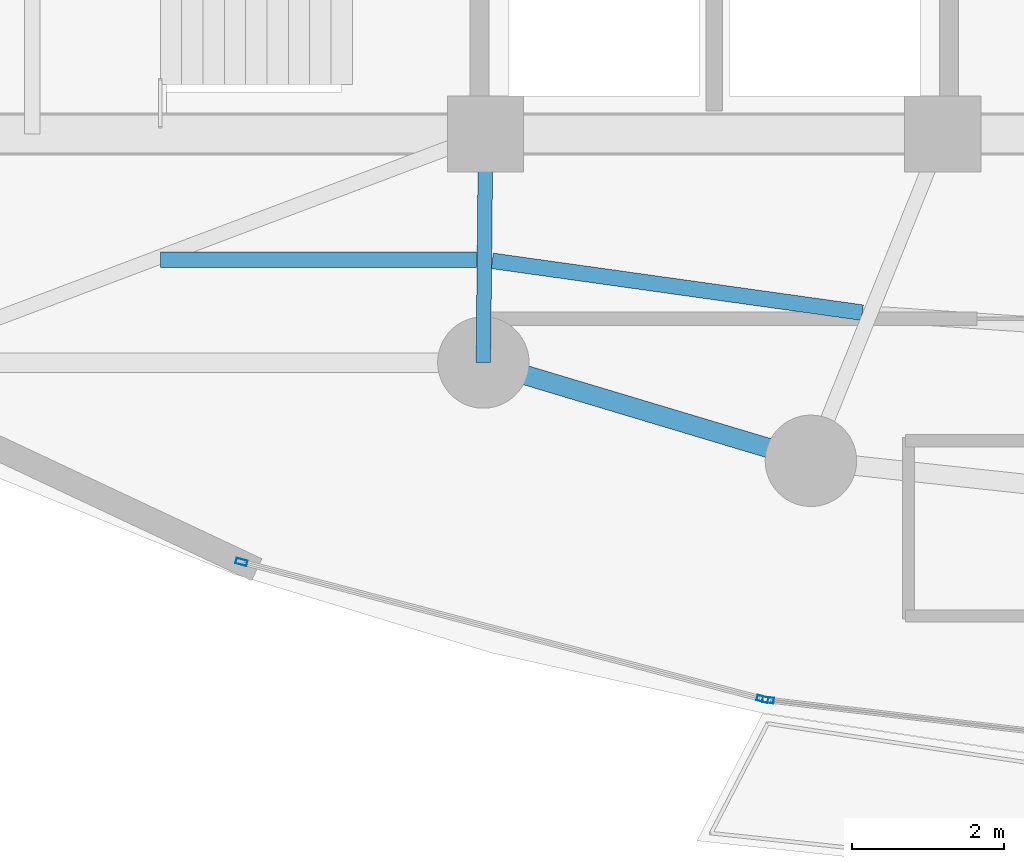
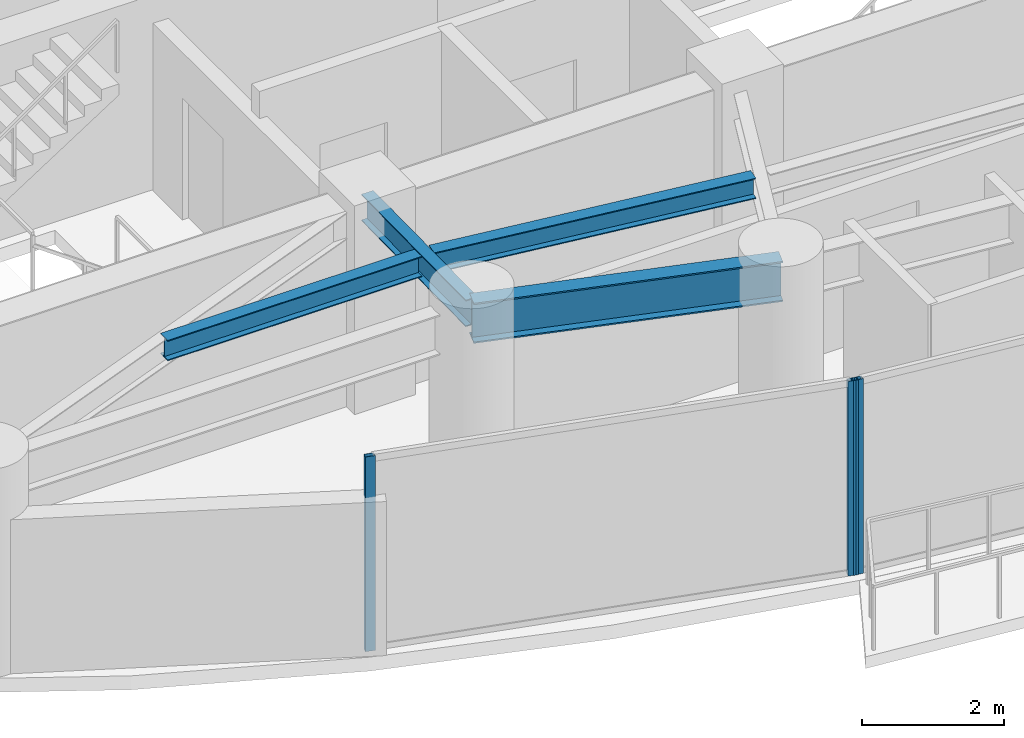
# One storey, part 5 of 34: 4 beams, 3 members, 2 elements without a shape of their own.
"""IFC4 building model written with IfcOpenShell, lengths in metres."""

import ifcopenshell
import ifcopenshell.guid

model = None  # the IFC model being written
_history = None  # IfcOwnerHistory: only IFC2X3 demands one
_inside = {}  # id of a spatial element -> (the spatial element, [elements in it])
_under = {}  # id of a project, library or spatial element -> (it, [spatial elements below it])
_declared = {}  # id of a project -> (the project, [libraries it declares])
_typed = {}  # id of a type object -> (the type object, [elements of that type])
_made_of = {}  # id of a material, layer set ... -> (it, [elements and type objects made of it])


def new_model(schema):
    """Start an empty IFC model of exactly this schema.

    Asked for "IFC4X3", IfcOpenShell would pick the latest addendum, in which some entities
    have other attributes; the version numbers below select the first issue.
    IFC2X3 requires an IfcOwnerHistory on every rooted entity: one is made here for all.
    """
    global model, _history
    if schema == "IFC4X3":
        model = ifcopenshell.file(schema_version=(4, 3, 0, 0))
    else:
        model = ifcopenshell.file(schema=schema)
    _inside.clear()
    _under.clear()
    _declared.clear()
    _typed.clear()
    _made_of.clear()
    _history = None
    if model.schema == "IFC2X3":
        org = make("IfcOrganization", Name="unknown")
        user = make(
            "IfcPersonAndOrganization",
            ThePerson=make("IfcPerson", FamilyName="unknown"),
            TheOrganization=org,
        )
        app = make(
            "IfcApplication",
            ApplicationDeveloper=org,
            Version="unknown",
            ApplicationFullName="unknown",
            ApplicationIdentifier="unknown",
        )
        _history = make(
            "IfcOwnerHistory",
            OwningUser=user,
            OwningApplication=app,
            ChangeAction="ADDED",
            CreationDate=0,
        )
    return model


def make(cls, **values):
    """One entity of the class cls with the attributes given. An attribute that is None is left unset."""
    return model.create_entity(
        cls, **{name: value for name, value in values.items() if value is not None}
    )


def rooted(cls, **values):
    """An entity with a GlobalId (a new one), such as an element, a storey or a relation."""
    return make(cls, GlobalId=ifcopenshell.guid.new(), OwnerHistory=_history, **values)


def si_unit(unit_type, name, prefix=None):
    """IfcSIUnit, for example si_unit("LENGTHUNIT", "METRE", prefix="MILLI")."""
    return make("IfcSIUnit", UnitType=unit_type, Prefix=prefix, Name=name)


def assignment(units):
    """IfcUnitAssignment: the units of a project."""
    return None if units is None else make("IfcUnitAssignment", Units=units)


def point(xyz):
    """IfcCartesianPoint."""
    return None if xyz is None else make("IfcCartesianPoint", Coordinates=xyz)


def direction(xyz):
    """IfcDirection."""
    return None if xyz is None else make("IfcDirection", DirectionRatios=xyz)


def frame(location, z_axis=None, x_axis=None):
    """IfcAxis2Placement3D, a coordinate frame: its origin and axes. An axis left out is left unset."""
    return make(
        "IfcAxis2Placement3D",
        Location=point(location),
        Axis=direction(z_axis),
        RefDirection=direction(x_axis),
    )


def frame_2d(location, x_axis=None):
    """IfcAxis2Placement2D, a coordinate frame in the plane: its origin and x axis."""
    return make(
        "IfcAxis2Placement2D", Location=point(location), RefDirection=direction(x_axis)
    )


def origin():
    """The frame at (0, 0, 0) with its axes left unset."""
    return frame((0.0, 0.0, 0.0))


def origin_2d():
    """The frame at (0, 0) in the plane with its x axis left unset."""
    return frame_2d((0.0, 0.0))


def place(relative_to, where):
    """IfcLocalPlacement: puts the frame where relative to a parent placement (None: the world)."""
    return make(
        "IfcLocalPlacement", PlacementRelTo=relative_to, RelativePlacement=where
    )


def context(
    kind, dimensions, precision=None, world=None, true_north=None, identifier=None
):
    """IfcGeometricRepresentationContext, for example the 3D "Model" context."""
    return make(
        "IfcGeometricRepresentationContext",
        ContextIdentifier=identifier,
        ContextType=kind,
        CoordinateSpaceDimension=dimensions,
        Precision=precision,
        WorldCoordinateSystem=world,
        TrueNorth=true_north,
    )


def subcontext(parent, identifier, kind, view, scale=None):
    """IfcGeometricRepresentationSubContext, for example "Body" below "Model"."""
    return make(
        "IfcGeometricRepresentationSubContext",
        ContextIdentifier=identifier,
        ContextType=kind,
        ParentContext=parent,
        TargetScale=scale,
        TargetView=view,
    )


def project(units=None, contexts=None):
    """IfcProject with its units and contexts."""
    return rooted(
        "IfcProject",
        Name="project",
        RepresentationContexts=contexts,
        UnitsInContext=assignment(units),
    )


def spatial(cls, under=None, at=None, **own):
    """A site, building, storey or space (cls), placed at a placement, below another one or the project."""
    s = rooted(cls, ObjectPlacement=at, **own)
    if under is not None:
        _under.setdefault(under.id(), (under, []))[1].append(s)
    return s


def profile(cls, at=None, kind="AREA", **sizes):
    """A parametric profile (cls). Its sizes go by their IFC names, for example OverallWidth=200.0."""
    return make(cls, ProfileType=kind, Position=at, **sizes)


def hollow_rectangle(**sizes):
    """IfcRectangleHollowProfileDef."""
    return profile("IfcRectangleHollowProfileDef", **sizes)


def i_section(**sizes):
    """IfcIShapeProfileDef."""
    return profile("IfcIShapeProfileDef", **sizes)


def extrude(swept, where, along, depth):
    """IfcExtrudedAreaSolid: the profile swept, set in the frame where, extruded along a direction by depth."""
    return make(
        "IfcExtrudedAreaSolid",
        SweptArea=swept,
        Position=where,
        ExtrudedDirection=direction(along),
        Depth=depth,
    )


def shape(context_of_items, identifier, shape_type, items):
    """IfcShapeRepresentation: the items that make up one representation, for example the "Body"."""
    return make(
        "IfcShapeRepresentation",
        ContextOfItems=context_of_items,
        RepresentationIdentifier=identifier,
        RepresentationType=shape_type,
        Items=items,
    )


def material(Name=None, Category=None):
    """IfcMaterial."""
    return make("IfcMaterial", Name=Name, Category=Category)


def layer(
    of_material, thickness, ventilated=None, Name=None, Category=None, Priority=None
):
    """IfcMaterialLayer: one layer of a wall or slab, of a material (None: an air gap)."""
    return make(
        "IfcMaterialLayer",
        Material=of_material,
        LayerThickness=thickness,
        IsVentilated=ventilated,
        Name=Name,
        Category=Category,
        Priority=Priority,
    )


def layer_set(layers, Name=None):
    """IfcMaterialLayerSet."""
    return make("IfcMaterialLayerSet", MaterialLayers=layers, LayerSetName=Name)


def material_profile(
    of_material, cross_section, Name=None, Category=None, Priority=None
):
    """IfcMaterialProfile: a cross section and its material."""
    return make(
        "IfcMaterialProfile",
        Name=Name,
        Material=of_material,
        Profile=cross_section,
        Priority=Priority,
        Category=Category,
    )


def profile_set(profiles, Name=None, composite=None):
    """IfcMaterialProfileSet."""
    return make(
        "IfcMaterialProfileSet",
        Name=Name,
        MaterialProfiles=profiles,
        CompositeProfile=composite,
    )


def made_of(thing, what):
    """Note that an element or type object is made of a material, layer set ...; save() writes the relation."""
    if what is not None:
        _made_of.setdefault(what.id(), (what, []))[1].append(thing)
    return thing


def type_object(cls, material=None, **own):
    """A type object (cls), such as IfcWallType, which elements share."""
    return made_of(rooted(cls, **own), material)


def element(
    cls,
    number,
    at=None,
    inside=None,
    cuts=None,
    type_object=None,
    material=None,
    context=None,
    identifier="Body",
    shape_type=None,
    held_by="IfcProductDefinitionShape",
    body=None,
    shapes=None,
    **own,
):
    """One element of the class cls, such as IfcWall. Its Tag is "e" and its number.

    at: its placement. inside: the storey or other place that contains it. cuts: it is an
    opening in that element (IfcRelVoidsElement). A single representation is given by context,
    identifier, shape_type and body (its items); several are given by shapes. held_by: the class
    of the entity that holds the representations. save() writes the other relations.
    """
    e = rooted(cls, Tag="e%d" % number, ObjectPlacement=at, **own)
    if body is not None:
        shapes = [shape(context, identifier, shape_type, body)]
    if shapes is not None:
        e.Representation = make(held_by, Representations=shapes)
    if inside is not None:
        _inside.setdefault(inside.id(), (inside, []))[1].append(e)
    if cuts is not None:
        rooted(
            "IfcRelVoidsElement", RelatingBuildingElement=cuts, RelatedOpeningElement=e
        )
    if type_object is not None:
        _typed.setdefault(type_object.id(), (type_object, []))[1].append(e)
    return made_of(e, material)


def aggregate(whole, parts):
    """IfcRelAggregates: a whole, such as a stair, and the parts it consists of."""
    return rooted("IfcRelAggregates", RelatingObject=whole, RelatedObjects=parts)


def save(model, path):
    """Write the relations noted so far, then the file.

    IfcRelAggregates (storeys below a building ...), IfcRelContainedInSpatialStructure (elements
    in a storey), IfcRelDefinesByType, IfcRelAssociatesMaterial and IfcRelDeclares: one each for
    every whole, place, type object, material and project.
    """
    for whole, parts in _under.values():
        aggregate(whole, parts)
    for where, things in _inside.values():
        rooted(
            "IfcRelContainedInSpatialStructure",
            RelatedElements=things,
            RelatingStructure=where,
        )
    for kind, things in _typed.values():
        rooted("IfcRelDefinesByType", RelatedObjects=things, RelatingType=kind)
    for what, things in _made_of.values():
        rooted("IfcRelAssociatesMaterial", RelatedObjects=things, RelatingMaterial=what)
    for by, libraries in _declared.values():
        rooted("IfcRelDeclares", RelatingContext=by, RelatedDefinitions=libraries)
    model.write(path)


model = new_model("IFC4")

# Units and contexts
model_context = context("Model", 3, precision=1e-05, world=origin(), true_north=direction((0.0, 1.0)))
body_context = subcontext(model_context, "Body", "Model", "MODEL_VIEW")
ifc_project = project(units=[si_unit("LENGTHUNIT", "METRE"), si_unit("AREAUNIT", "SQUARE_METRE"), si_unit("VOLUMEUNIT", "CUBIC_METRE"), si_unit("PLANEANGLEUNIT", "RADIAN"), si_unit("MASSUNIT", "GRAM", prefix="KILO")], contexts=[model_context])

# Site, building, storey
site_placement = place(None, origin())
site = spatial("IfcSite", under=ifc_project, at=site_placement, CompositionType="ELEMENT")
building_placement = place(site_placement, origin())
building = spatial("IfcBuilding", under=site, at=building_placement, Name="Kazevale Care Tower and Concert Hall", CompositionType="ELEMENT")
storey_placement = place(building_placement, frame((0.0, 0.0, 163.800048828125)))
storey = spatial("IfcBuildingStorey", under=building, at=storey_placement, Name="L43", CompositionType="ELEMENT", Elevation=163.800048828125)

# Curtain wall, member
ifc_material_1 = material(Name="Aluminium 6063-T6 and Low-E Glass", Category="aluminium")
ifc_layer = layer(ifc_material_1, 0.179931640625)
ifc_layer_set = layer_set([ifc_layer], Name="Aluminium 6063-T6 and Low-E Glass")
curtain_wall_type = type_object("IfcCurtainWallType", Name="Sheltered Concave Balcony Curtain Wall CW-5", PredefinedType="NOTDEFINED", material=ifc_layer_set)
curtain_wall_1_placement = place(storey_placement, origin())
curtain_wall_1 = element("IfcCurtainWall", 1, at=curtain_wall_1_placement, inside=storey, type_object=curtain_wall_type, Name="cw:L43:f07", PredefinedType="NOTDEFINED")
ifc_material_2 = material(Name="Aluminium 6063-T6", Category="aluminium")
ifc_material_profile_1 = material_profile(ifc_material_2, hollow_rectangle(XDim=0.074951171875, YDim=0.14990234375, WallThickness=0.00390625, at=origin_2d()), Name="ALU75x150x4")
ifc_profile_set_1 = profile_set([ifc_material_profile_1], Name="Aluminium 6063-T6")
member_type = type_object("IfcMemberType", Name="CW-5 Mullion ALU75x150x4", PredefinedType="MULLION", material=ifc_profile_set_1)
member_1_placement = place(storey_placement, frame((33.708251953125, 16.169677734375, 0.0), z_axis=(0.0, 0.0, 1.0), x_axis=(-0.117372179238, -0.993087997884, 0.0)))
member_1 = element("IfcMember", 2, at=member_1_placement, type_object=member_type, Name="CW-5 mullion 2", PredefinedType="MULLION", context=body_context, shape_type="SweptSolid", body=[
    extrude(hollow_rectangle(XDim=0.074951171875, YDim=0.14990234375, WallThickness=0.00390625, at=origin_2d()), origin(), (0.0, 0.0, 1.0), 3.35986328125),
])
aggregate(curtain_wall_1, [member_1])

# Curtain wall, members
curtain_wall_2_placement = place(storey_placement, origin())
curtain_wall_2 = element("IfcCurtainWall", 3, at=curtain_wall_2_placement, inside=storey, type_object=curtain_wall_type, Name="cw:L43:f08", PredefinedType="NOTDEFINED")
member_2_placement = place(storey_placement, frame((33.634765625, 16.18359375, 0.0), z_axis=(0.0, 0.0, 1.0), x_axis=(-0.254238458229, -0.967141564797, 0.0)))
member_2 = element("IfcMember", 4, at=member_2_placement, type_object=member_type, Name="CW-5 mullion 1", PredefinedType="MULLION", context=body_context, shape_type="SweptSolid", body=[
    extrude(hollow_rectangle(XDim=0.074951171875, YDim=0.14990234375, WallThickness=0.00390625, at=origin_2d()), origin(), (0.0, 0.0, 1.0), 3.35986328125),
])
member_3_placement = place(storey_placement, frame((26.795166015625, 17.9814453125, 0.0), z_axis=(0.0, 0.0, 1.0), x_axis=(-0.254238458229, -0.967141564797, 0.0)))
member_3 = element("IfcMember", 5, at=member_3_placement, type_object=member_type, Name="CW-5 mullion 2", PredefinedType="MULLION", context=body_context, shape_type="SweptSolid", body=[
    extrude(hollow_rectangle(XDim=0.074951171875, YDim=0.14990234375, WallThickness=0.00390625, at=origin_2d()), origin(), (0.0, 0.0, 1.0), 3.35986328125),
])
aggregate(curtain_wall_2, [member_2, member_3])

# Beams
ifc_material_3 = material(Name="Steel ASTM A572 Gr 50", Category="steel")
ifc_material_profile_2 = material_profile(ifc_material_3, i_section(OverallWidth=0.19091796875, OverallDepth=0.4599609375, WebThickness=0.010009765625, FlangeThickness=0.01611328125, at=origin_2d()), Name="W460x82")
ifc_profile_set_2 = profile_set([ifc_material_profile_2], Name="Steel ASTM A572 Gr 50")
beam_type_1 = type_object("IfcBeamType", Name="Radial Floor Beam W460x82", PredefinedType="BEAM", material=ifc_profile_set_2)
beam_1_placement = place(storey_placement, frame((30.0, 23.60009765625, 3.1298828125), z_axis=(-0.010009264196, -0.99994990606, 0.0), x_axis=(0.99994990606, -0.010009264196, 0.0)))
element("IfcBeam", 6, at=beam_1_placement, inside=storey, type_object=beam_type_1, Name="beam:L43:rad:11", PredefinedType="BEAM", context=body_context, shape_type="SweptSolid", body=[
    extrude(i_section(OverallWidth=0.19091796875, OverallDepth=0.4599609375, WebThickness=0.010009765625, FlangeThickness=0.01611328125, at=origin_2d()), origin(), (0.0, 0.0, 1.0), 3.000244140625),
])
ifc_material_profile_3 = material_profile(ifc_material_3, i_section(OverallWidth=0.205078125, OverallDepth=0.35400390625, WebThickness=0.009521484375, FlangeThickness=0.016845703125, at=origin_2d()), Name="W360x79")
ifc_profile_set_3 = profile_set([ifc_material_profile_3], Name="Steel ASTM A572 Gr 50")
beam_type_2 = type_object("IfcBeamType", Name="Secondary Floor Joist W360x79", PredefinedType="JOIST", material=ifc_profile_set_3)
beam_2_placement = place(storey_placement, frame((25.73291015625, 21.949951171875, 3.182861328125), z_axis=(1.0, 0.0, 0.0), x_axis=(0.0, 1.0, 0.0)))
element("IfcBeam", 7, at=beam_2_placement, inside=storey, type_object=beam_type_2, Name="beam:L43:joist:10", PredefinedType="JOIST", context=body_context, shape_type="SweptSolid", body=[
    extrude(i_section(OverallWidth=0.205078125, OverallDepth=0.35400390625, WebThickness=0.009521484375, FlangeThickness=0.016845703125, at=origin_2d()), origin(), (0.0, 0.0, 1.0), 4.14501953125),
])
beam_3_placement = place(storey_placement, frame((30.0869140625, 21.93505859375, 3.182861328125), z_axis=(0.990340789942, -0.138654678164, 0.0), x_axis=(0.138654678164, 0.990340789942, 0.0)))
element("IfcBeam", 8, at=beam_3_placement, inside=storey, type_object=beam_type_2, Name="beam:L43:joist:11", PredefinedType="JOIST", context=body_context, shape_type="SweptSolid", body=[
    extrude(i_section(OverallWidth=0.205078125, OverallDepth=0.35400390625, WebThickness=0.009521484375, FlangeThickness=0.016845703125, at=origin_2d()), origin(), (0.0, 0.0, 1.0), 4.905517578125),
])
ifc_material_profile_4 = material_profile(ifc_material_3, i_section(OverallWidth=0.256103515625, OverallDepth=0.693115234375, WebThickness=0.014404296875, FlangeThickness=0.023681640625, at=origin_2d()), Name="W690x170")
ifc_profile_set_4 = profile_set([ifc_material_profile_4], Name="Steel ASTM A572 Gr 50")
beam_type_3 = type_object("IfcBeamType", Name="Waist Ring Beam W690x170", PredefinedType="BEAM", material=ifc_profile_set_4)
beam_4_placement = place(storey_placement, frame((29.969970703125, 20.60009765625, 3.013427734375), z_axis=(0.957824788464, -0.287352874709, 0.0), x_axis=(0.287352874709, 0.957824788464, 0.0)))
element("IfcBeam", 9, at=beam_4_placement, inside=storey, type_object=beam_type_3, Name="beam:L43:ring:11", PredefinedType="BEAM", context=body_context, shape_type="SweptSolid", body=[
    extrude(i_section(OverallWidth=0.256103515625, OverallDepth=0.693115234375, WebThickness=0.014404296875, FlangeThickness=0.023681640625, at=origin_2d()), origin(), (0.0, 0.0, 1.0), 4.489501953125),
])

save(model, "model.ifc")
